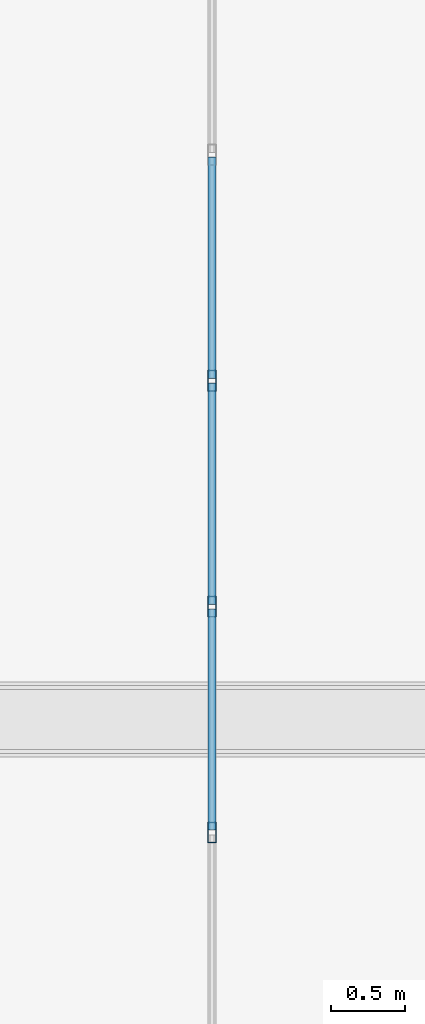
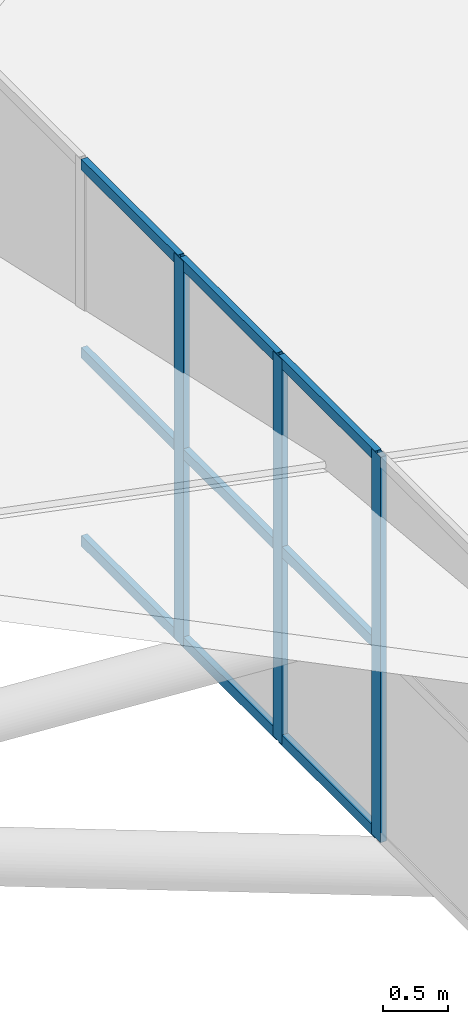
# One storey, part 337 of 397: 12 members, 1 element without a shape of its own.
"""IFC4 building model written with IfcOpenShell, lengths in metres."""

from ifc_helpers import new_model, si_unit, direction, frame, origin, origin_2d, place, context, subcontext, project, spatial, hollow_rectangle, extrude, material, material_profile, profile_set, type_object, element, aggregate, save


model = new_model("IFC4")

# Units and contexts
model_context = context("Model", 3, precision=1e-05, world=origin(), true_north=direction((0.0, 1.0)))
body_context = subcontext(model_context, "Body", "Model", "MODEL_VIEW")
ifc_project = project(units=[si_unit("LENGTHUNIT", "METRE"), si_unit("AREAUNIT", "SQUARE_METRE"), si_unit("VOLUMEUNIT", "CUBIC_METRE"), si_unit("PLANEANGLEUNIT", "RADIAN"), si_unit("MASSUNIT", "GRAM", prefix="KILO")], contexts=[model_context])

# Site, building, storey
site_placement = place(None, origin())
site = spatial("IfcSite", under=ifc_project, at=site_placement, CompositionType="ELEMENT")
building_placement = place(site_placement, origin())
building = spatial("IfcBuilding", under=site, at=building_placement, Name="Qandorah Velis Arena", CompositionType="ELEMENT")
storey_placement = place(building_placement, frame((0.0, 0.0, 27.5)))
storey = spatial("IfcBuildingStorey", under=building, at=storey_placement, Name="RF", CompositionType="ELEMENT", Elevation=27.5)

# Curtain wall, members
ifc_material_1 = material(Name="Solar-control low-E double glazing", Category="glass")
curtain_wall_type = type_object("IfcCurtainWallType", Name="ARC-CW-SYS18", PredefinedType="USERDEFINED", material=ifc_material_1)
curtain_wall_placement = place(storey_placement, origin())
curtain_wall = element("IfcCurtainWall", 1, at=curtain_wall_placement, inside=storey, type_object=curtain_wall_type, Name="Unitised curtain wall MON-2-6", ObjectType="UNITISED CURTAIN WALL", PredefinedType="USERDEFINED")
ifc_material_2 = material(Name="Champagne-bronze anodized aluminium 6063-T6", Category="aluminium")
ifc_material_profile_1 = material_profile(ifc_material_2, hollow_rectangle(XDim=0.054931640625, YDim=0.139892578125, WallThickness=0.0029296875, at=origin_2d()), Name="ALU MULLION 55x140")
ifc_profile_set_1 = profile_set([ifc_material_profile_1], Name="Champagne-bronze anodized aluminium 6063-T6")
member_type_1 = type_object("IfcMemberType", Name="ARC-CWM-140", PredefinedType="MULLION", material=ifc_profile_set_1)
member_1_placement = place(storey_placement, frame((108.0, 100.038818359375, 3.5263671875), z_axis=(0.0, 0.0, 1.0), x_axis=(-1.0, 0.0, 0.0)))
member_1 = element("IfcMember", 2, at=member_1_placement, type_object=member_type_1, Name="CW18 mullion 5", PredefinedType="MULLION", context=body_context, shape_type="SweptSolid", body=[
    extrude(hollow_rectangle(XDim=0.054931640625, YDim=0.139892578125, WallThickness=0.0029296875, at=origin_2d()), origin(), (0.0, 0.0, 1.0), 3.630126953125),
])
member_2_placement = place(storey_placement, frame((108.0, 101.56103515625, 3.5263671875), z_axis=(0.0, 0.0, 1.0), x_axis=(-1.0, 0.0, 0.0)))
member_2 = element("IfcMember", 3, at=member_2_placement, type_object=member_type_1, Name="CW18 mullion 6", PredefinedType="MULLION", context=body_context, shape_type="SweptSolid", body=[
    extrude(hollow_rectangle(XDim=0.054931640625, YDim=0.139892578125, WallThickness=0.0029296875, at=origin_2d()), origin(), (0.0, 0.0, 1.0), 3.630126953125),
])
member_3_placement = place(storey_placement, frame((108.0, 103.083251953125, 3.5263671875), z_axis=(0.0, 0.0, 1.0), x_axis=(-1.0, 0.0, 0.0)))
member_3 = element("IfcMember", 4, at=member_3_placement, type_object=member_type_1, Name="CW18 mullion 7", PredefinedType="MULLION", context=body_context, shape_type="SweptSolid", body=[
    extrude(hollow_rectangle(XDim=0.054931640625, YDim=0.139892578125, WallThickness=0.0029296875, at=origin_2d()), origin(), (0.0, 0.0, 1.0), 3.630126953125),
])
ifc_material_profile_2 = material_profile(ifc_material_2, hollow_rectangle(XDim=0.054931640625, YDim=0.10009765625, WallThickness=0.0029296875, at=origin_2d()), Name="ALU TRANSOM 55x100")
ifc_profile_set_2 = profile_set([ifc_material_profile_2], Name="Champagne-bronze anodized aluminium 6063-T6")
member_type_2 = type_object("IfcMemberType", Name="ARC-CWT-100", PredefinedType="USERDEFINED", material=ifc_profile_set_2)
member_4_placement = place(storey_placement, frame((108.0, 100.054443359375, 3.56884765625), z_axis=(0.0, 1.0, 0.0), x_axis=(-1.0, 0.0, 0.0)))
member_4 = element("IfcMember", 5, at=member_4_placement, type_object=member_type_2, Name="CW18 transom 5.1", ObjectType="TRANSOM", PredefinedType="USERDEFINED", context=body_context, shape_type="SweptSolid", body=[
    extrude(hollow_rectangle(XDim=0.054931640625, YDim=0.10009765625, WallThickness=0.0029296875, at=origin_2d()), origin(), (0.0, 0.0, 1.0), 1.4912109375),
])
member_5_placement = place(storey_placement, frame((108.0, 100.054443359375, 5.34130859375), z_axis=(0.0, 1.0, 0.0), x_axis=(-1.0, 0.0, 0.0)))
member_5 = element("IfcMember", 6, at=member_5_placement, type_object=member_type_2, Name="CW18 transom 5.2", ObjectType="TRANSOM", PredefinedType="USERDEFINED", context=body_context, shape_type="SweptSolid", body=[
    extrude(hollow_rectangle(XDim=0.054931640625, YDim=0.10009765625, WallThickness=0.0029296875, at=origin_2d()), origin(), (0.0, 0.0, 1.0), 1.4912109375),
])
member_6_placement = place(storey_placement, frame((108.0, 100.054443359375, 7.114013671875), z_axis=(0.0, 1.0, 0.0), x_axis=(-1.0, 0.0, 0.0)))
member_6 = element("IfcMember", 7, at=member_6_placement, type_object=member_type_2, Name="CW18 transom 5.3", ObjectType="TRANSOM", PredefinedType="USERDEFINED", context=body_context, shape_type="SweptSolid", body=[
    extrude(hollow_rectangle(XDim=0.054931640625, YDim=0.10009765625, WallThickness=0.0029296875, at=origin_2d()), origin(), (0.0, 0.0, 1.0), 1.4912109375),
])
member_7_placement = place(storey_placement, frame((108.0, 101.57666015625, 3.56884765625), z_axis=(0.0, 1.0, 0.0), x_axis=(-1.0, 0.0, 0.0)))
member_7 = element("IfcMember", 8, at=member_7_placement, type_object=member_type_2, Name="CW18 transom 6.1", ObjectType="TRANSOM", PredefinedType="USERDEFINED", context=body_context, shape_type="SweptSolid", body=[
    extrude(hollow_rectangle(XDim=0.054931640625, YDim=0.10009765625, WallThickness=0.0029296875, at=origin_2d()), origin(), (0.0, 0.0, 1.0), 1.4912109375),
])
member_8_placement = place(storey_placement, frame((108.0, 101.57666015625, 5.34130859375), z_axis=(0.0, 1.0, 0.0), x_axis=(-1.0, 0.0, 0.0)))
member_8 = element("IfcMember", 9, at=member_8_placement, type_object=member_type_2, Name="CW18 transom 6.2", ObjectType="TRANSOM", PredefinedType="USERDEFINED", context=body_context, shape_type="SweptSolid", body=[
    extrude(hollow_rectangle(XDim=0.054931640625, YDim=0.10009765625, WallThickness=0.0029296875, at=origin_2d()), origin(), (0.0, 0.0, 1.0), 1.4912109375),
])
member_9_placement = place(storey_placement, frame((108.0, 101.57666015625, 7.114013671875), z_axis=(0.0, 1.0, 0.0), x_axis=(-1.0, 0.0, 0.0)))
member_9 = element("IfcMember", 10, at=member_9_placement, type_object=member_type_2, Name="CW18 transom 6.3", ObjectType="TRANSOM", PredefinedType="USERDEFINED", context=body_context, shape_type="SweptSolid", body=[
    extrude(hollow_rectangle(XDim=0.054931640625, YDim=0.10009765625, WallThickness=0.0029296875, at=origin_2d()), origin(), (0.0, 0.0, 1.0), 1.4912109375),
])
member_10_placement = place(storey_placement, frame((108.0, 103.098876953125, 3.56884765625), z_axis=(0.0, 1.0, 0.0), x_axis=(-1.0, 0.0, 0.0)))
member_10 = element("IfcMember", 11, at=member_10_placement, type_object=member_type_2, Name="CW18 transom 7.1", ObjectType="TRANSOM", PredefinedType="USERDEFINED", context=body_context, shape_type="SweptSolid", body=[
    extrude(hollow_rectangle(XDim=0.054931640625, YDim=0.10009765625, WallThickness=0.0029296875, at=origin_2d()), origin(), (0.0, 0.0, 1.0), 1.4912109375),
])
member_11_placement = place(storey_placement, frame((108.0, 103.098876953125, 5.34130859375), z_axis=(0.0, 1.0, 0.0), x_axis=(-1.0, 0.0, 0.0)))
member_11 = element("IfcMember", 12, at=member_11_placement, type_object=member_type_2, Name="CW18 transom 7.2", ObjectType="TRANSOM", PredefinedType="USERDEFINED", context=body_context, shape_type="SweptSolid", body=[
    extrude(hollow_rectangle(XDim=0.054931640625, YDim=0.10009765625, WallThickness=0.0029296875, at=origin_2d()), origin(), (0.0, 0.0, 1.0), 1.4912109375),
])
member_12_placement = place(storey_placement, frame((108.0, 103.098876953125, 7.114013671875), z_axis=(0.0, 1.0, 0.0), x_axis=(-1.0, 0.0, 0.0)))
member_12 = element("IfcMember", 13, at=member_12_placement, type_object=member_type_2, Name="CW18 transom 7.3", ObjectType="TRANSOM", PredefinedType="USERDEFINED", context=body_context, shape_type="SweptSolid", body=[
    extrude(hollow_rectangle(XDim=0.054931640625, YDim=0.10009765625, WallThickness=0.0029296875, at=origin_2d()), origin(), (0.0, 0.0, 1.0), 1.4912109375),
])
aggregate(curtain_wall, [member_1, member_2, member_3, member_4, member_5, member_6, member_7, member_8, member_9, member_10, member_11, member_12])

save(model, "model.ifc")
